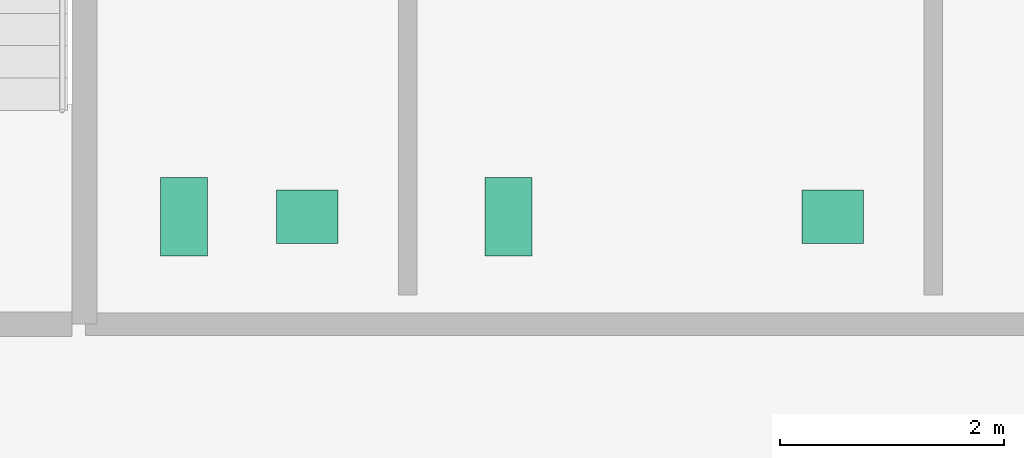
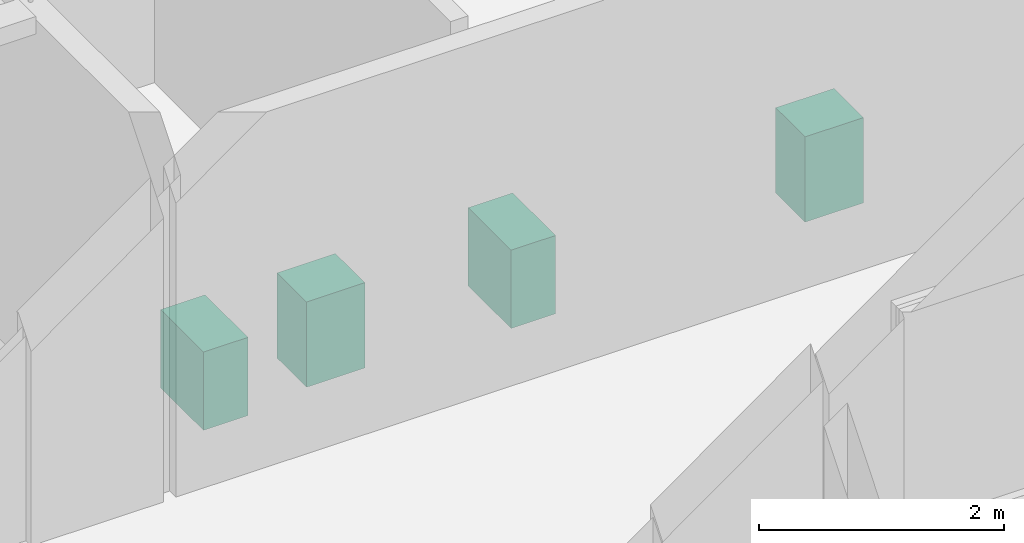
# One storey, part 13 of 13: 4 sanitary terminals.
"""IFC4 building model written with IfcOpenShell, lengths in metres."""

import ifcopenshell
import ifcopenshell.guid

model = None  # the IFC model being written
_history = None  # IfcOwnerHistory: only IFC2X3 demands one
_inside = {}  # id of a spatial element -> (the spatial element, [elements in it])
_under = {}  # id of a project, library or spatial element -> (it, [spatial elements below it])
_declared = {}  # id of a project -> (the project, [libraries it declares])
_typed = {}  # id of a type object -> (the type object, [elements of that type])
_made_of = {}  # id of a material, layer set ... -> (it, [elements and type objects made of it])


def new_model(schema):
    """Start an empty IFC model of exactly this schema.

    Asked for "IFC4X3", IfcOpenShell would pick the latest addendum, in which some entities
    have other attributes; the version numbers below select the first issue.
    IFC2X3 requires an IfcOwnerHistory on every rooted entity: one is made here for all.
    """
    global model, _history
    if schema == "IFC4X3":
        model = ifcopenshell.file(schema_version=(4, 3, 0, 0))
    else:
        model = ifcopenshell.file(schema=schema)
    _inside.clear()
    _under.clear()
    _declared.clear()
    _typed.clear()
    _made_of.clear()
    _history = None
    if model.schema == "IFC2X3":
        org = make("IfcOrganization", Name="unknown")
        user = make(
            "IfcPersonAndOrganization",
            ThePerson=make("IfcPerson", FamilyName="unknown"),
            TheOrganization=org,
        )
        app = make(
            "IfcApplication",
            ApplicationDeveloper=org,
            Version="unknown",
            ApplicationFullName="unknown",
            ApplicationIdentifier="unknown",
        )
        _history = make(
            "IfcOwnerHistory",
            OwningUser=user,
            OwningApplication=app,
            ChangeAction="ADDED",
            CreationDate=0,
        )
    return model


def make(cls, **values):
    """One entity of the class cls with the attributes given. An attribute that is None is left unset."""
    return model.create_entity(
        cls, **{name: value for name, value in values.items() if value is not None}
    )


def rooted(cls, **values):
    """An entity with a GlobalId (a new one), such as an element, a storey or a relation."""
    return make(cls, GlobalId=ifcopenshell.guid.new(), OwnerHistory=_history, **values)


def si_unit(unit_type, name, prefix=None):
    """IfcSIUnit, for example si_unit("LENGTHUNIT", "METRE", prefix="MILLI")."""
    return make("IfcSIUnit", UnitType=unit_type, Prefix=prefix, Name=name)


def assignment(units):
    """IfcUnitAssignment: the units of a project."""
    return None if units is None else make("IfcUnitAssignment", Units=units)


def point(xyz):
    """IfcCartesianPoint."""
    return None if xyz is None else make("IfcCartesianPoint", Coordinates=xyz)


def direction(xyz):
    """IfcDirection."""
    return None if xyz is None else make("IfcDirection", DirectionRatios=xyz)


def frame(location, z_axis=None, x_axis=None):
    """IfcAxis2Placement3D, a coordinate frame: its origin and axes. An axis left out is left unset."""
    return make(
        "IfcAxis2Placement3D",
        Location=point(location),
        Axis=direction(z_axis),
        RefDirection=direction(x_axis),
    )


def frame_2d(location, x_axis=None):
    """IfcAxis2Placement2D, a coordinate frame in the plane: its origin and x axis."""
    return make(
        "IfcAxis2Placement2D", Location=point(location), RefDirection=direction(x_axis)
    )


def origin():
    """The frame at (0, 0, 0) with its axes left unset."""
    return frame((0.0, 0.0, 0.0))


def origin_2d():
    """The frame at (0, 0) in the plane with its x axis left unset."""
    return frame_2d((0.0, 0.0))


def place(relative_to, where):
    """IfcLocalPlacement: puts the frame where relative to a parent placement (None: the world)."""
    return make(
        "IfcLocalPlacement", PlacementRelTo=relative_to, RelativePlacement=where
    )


def context(
    kind, dimensions, precision=None, world=None, true_north=None, identifier=None
):
    """IfcGeometricRepresentationContext, for example the 3D "Model" context."""
    return make(
        "IfcGeometricRepresentationContext",
        ContextIdentifier=identifier,
        ContextType=kind,
        CoordinateSpaceDimension=dimensions,
        Precision=precision,
        WorldCoordinateSystem=world,
        TrueNorth=true_north,
    )


def subcontext(parent, identifier, kind, view, scale=None):
    """IfcGeometricRepresentationSubContext, for example "Body" below "Model"."""
    return make(
        "IfcGeometricRepresentationSubContext",
        ContextIdentifier=identifier,
        ContextType=kind,
        ParentContext=parent,
        TargetScale=scale,
        TargetView=view,
    )


def project(units=None, contexts=None):
    """IfcProject with its units and contexts."""
    return rooted(
        "IfcProject",
        Name="project",
        RepresentationContexts=contexts,
        UnitsInContext=assignment(units),
    )


def spatial(cls, under=None, at=None, **own):
    """A site, building, storey or space (cls), placed at a placement, below another one or the project."""
    s = rooted(cls, ObjectPlacement=at, **own)
    if under is not None:
        _under.setdefault(under.id(), (under, []))[1].append(s)
    return s


def profile(cls, at=None, kind="AREA", **sizes):
    """A parametric profile (cls). Its sizes go by their IFC names, for example OverallWidth=200.0."""
    return make(cls, ProfileType=kind, Position=at, **sizes)


def rectangle(**sizes):
    """IfcRectangleProfileDef."""
    return profile("IfcRectangleProfileDef", **sizes)


def extrude(swept, where, along, depth):
    """IfcExtrudedAreaSolid: the profile swept, set in the frame where, extruded along a direction by depth."""
    return make(
        "IfcExtrudedAreaSolid",
        SweptArea=swept,
        Position=where,
        ExtrudedDirection=direction(along),
        Depth=depth,
    )


def shape(context_of_items, identifier, shape_type, items):
    """IfcShapeRepresentation: the items that make up one representation, for example the "Body"."""
    return make(
        "IfcShapeRepresentation",
        ContextOfItems=context_of_items,
        RepresentationIdentifier=identifier,
        RepresentationType=shape_type,
        Items=items,
    )


def material(Name=None, Category=None):
    """IfcMaterial."""
    return make("IfcMaterial", Name=Name, Category=Category)


def made_of(thing, what):
    """Note that an element or type object is made of a material, layer set ...; save() writes the relation."""
    if what is not None:
        _made_of.setdefault(what.id(), (what, []))[1].append(thing)
    return thing


def type_object(cls, material=None, **own):
    """A type object (cls), such as IfcWallType, which elements share."""
    return made_of(rooted(cls, **own), material)


def element(
    cls,
    number,
    at=None,
    inside=None,
    cuts=None,
    type_object=None,
    material=None,
    context=None,
    identifier="Body",
    shape_type=None,
    held_by="IfcProductDefinitionShape",
    body=None,
    shapes=None,
    **own,
):
    """One element of the class cls, such as IfcWall. Its Tag is "e" and its number.

    at: its placement. inside: the storey or other place that contains it. cuts: it is an
    opening in that element (IfcRelVoidsElement). A single representation is given by context,
    identifier, shape_type and body (its items); several are given by shapes. held_by: the class
    of the entity that holds the representations. save() writes the other relations.
    """
    e = rooted(cls, Tag="e%d" % number, ObjectPlacement=at, **own)
    if body is not None:
        shapes = [shape(context, identifier, shape_type, body)]
    if shapes is not None:
        e.Representation = make(held_by, Representations=shapes)
    if inside is not None:
        _inside.setdefault(inside.id(), (inside, []))[1].append(e)
    if cuts is not None:
        rooted(
            "IfcRelVoidsElement", RelatingBuildingElement=cuts, RelatedOpeningElement=e
        )
    if type_object is not None:
        _typed.setdefault(type_object.id(), (type_object, []))[1].append(e)
    return made_of(e, material)


def aggregate(whole, parts):
    """IfcRelAggregates: a whole, such as a stair, and the parts it consists of."""
    return rooted("IfcRelAggregates", RelatingObject=whole, RelatedObjects=parts)


def save(model, path):
    """Write the relations noted so far, then the file.

    IfcRelAggregates (storeys below a building ...), IfcRelContainedInSpatialStructure (elements
    in a storey), IfcRelDefinesByType, IfcRelAssociatesMaterial and IfcRelDeclares: one each for
    every whole, place, type object, material and project.
    """
    for whole, parts in _under.values():
        aggregate(whole, parts)
    for where, things in _inside.values():
        rooted(
            "IfcRelContainedInSpatialStructure",
            RelatedElements=things,
            RelatingStructure=where,
        )
    for kind, things in _typed.values():
        rooted("IfcRelDefinesByType", RelatedObjects=things, RelatingType=kind)
    for what, things in _made_of.values():
        rooted("IfcRelAssociatesMaterial", RelatedObjects=things, RelatingMaterial=what)
    for by, libraries in _declared.values():
        rooted("IfcRelDeclares", RelatingContext=by, RelatedDefinitions=libraries)
    model.write(path)


model = new_model("IFC4")

# Units and contexts
model_context = context("Model", 3, precision=1e-05, world=origin(), true_north=direction((0.0, 1.0)))
body_context = subcontext(model_context, "Body", "Model", "MODEL_VIEW")
ifc_project = project(units=[si_unit("LENGTHUNIT", "METRE"), si_unit("AREAUNIT", "SQUARE_METRE"), si_unit("VOLUMEUNIT", "CUBIC_METRE"), si_unit("PLANEANGLEUNIT", "RADIAN"), si_unit("MASSUNIT", "GRAM", prefix="KILO")], contexts=[model_context])

# Site, building, storey
site_placement = place(None, origin())
site = spatial("IfcSite", under=ifc_project, at=site_placement, CompositionType="ELEMENT")
building_placement = place(site_placement, origin())
building = spatial("IfcBuilding", under=site, at=building_placement, Name="Norrvale University Quadrangle", CompositionType="ELEMENT")
storey_placement = place(building_placement, frame((0.0, 0.0, 69.800048828125)))
storey = spatial("IfcBuildingStorey", under=building, at=storey_placement, Name="L17", CompositionType="ELEMENT", Elevation=69.800048828125)

# Sanitary terminals
ifc_material = material(Name="Vitreous China Sanitaryware")
sanitary_terminal_type_1 = type_object("IfcSanitaryTerminalType", Name="Sanitary Wash Basin", PredefinedType="WASHHANDBASIN", material=ifc_material)
for number, where, z_axis, x_axis, name in (
    (1, (8.300048828125, 41.10009765625, 0.0), (0.0, 0.0, 1.0), (1.0, 0.0, 0.0), "Accessible Countertop Washbasin L17-1"),
    (2, (13.0, 41.10009765625, 0.0), (0.0, 0.0, 1.0), (1.0, 0.0, 0.0), "Accessible Countertop Washbasin L17-2"),
):
    element("IfcSanitaryTerminal", number, at=place(storey_placement, frame(where, z_axis=z_axis, x_axis=x_axis)), inside=storey, type_object=sanitary_terminal_type_1, Name=name, PredefinedType="WASHHANDBASIN", context=body_context, shape_type="SweptSolid", body=[
        extrude(rectangle(XDim=0.550048828125, YDim=0.47998046875, at=origin_2d()), origin(), (0.0, 0.0, 1.0), 0.85009765625),
    ])
sanitary_terminal_type_2 = type_object("IfcSanitaryTerminalType", Name="Sanitary Water Closet", PredefinedType="TOILETPAN", material=ifc_material)
for number, where, z_axis, x_axis, name in (
    (3, (7.199951171875, 41.10009765625, 0.0), (0.0, 0.0, 1.0), (1.0, 0.0, 0.0), "Wall-Hung Water Closet L17-1"),
    (4, (10.10009765625, 41.10009765625, 0.0), (0.0, 0.0, 1.0), (1.0, 0.0, 0.0), "Wall-Hung Water Closet L17-2"),
):
    element("IfcSanitaryTerminal", number, at=place(storey_placement, frame(where, z_axis=z_axis, x_axis=x_axis)), inside=storey, type_object=sanitary_terminal_type_2, Name=name, PredefinedType="TOILETPAN", context=body_context, shape_type="SweptSolid", body=[
        extrude(rectangle(XDim=0.419921875, YDim=0.699951171875, at=origin_2d()), origin(), (0.0, 0.0, 1.0), 0.780029296875),
    ])

save(model, "model.ifc")
